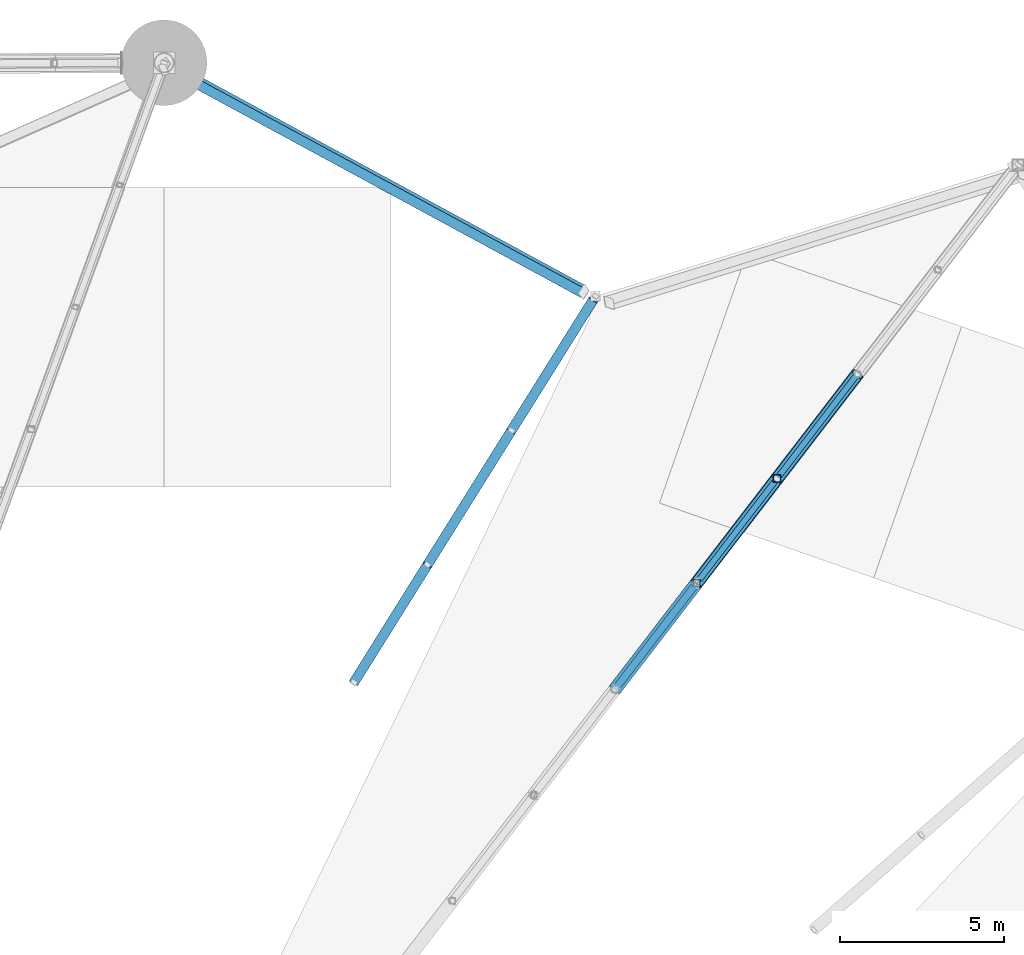
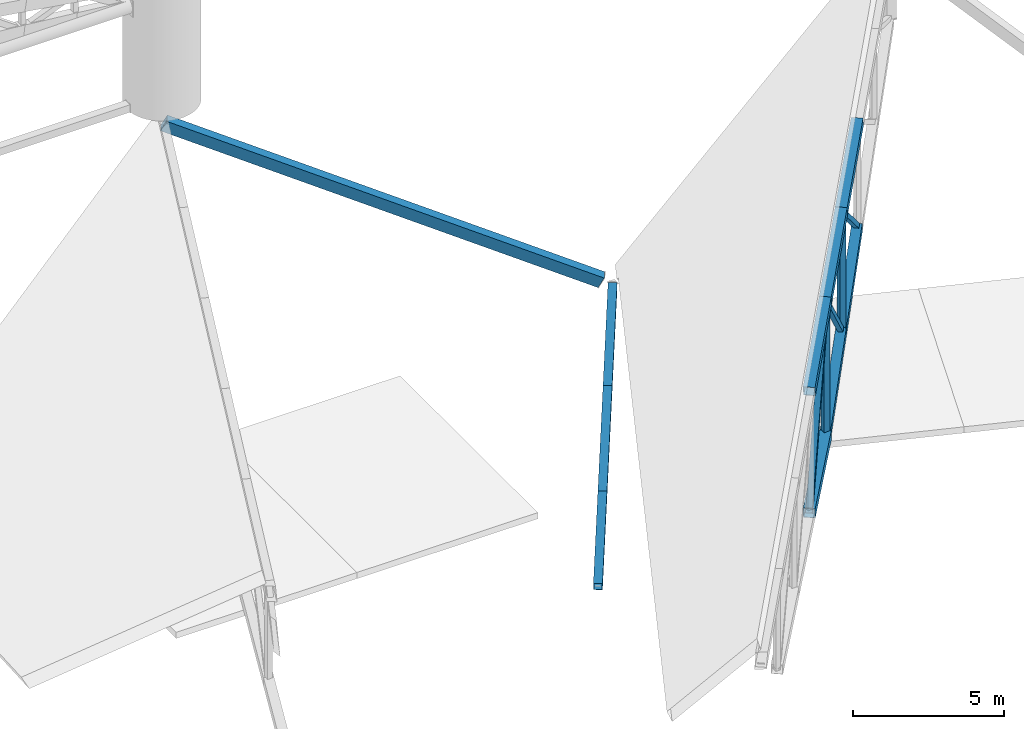
# One storey, part 108 of 188: 14 members, 1 beam.
"""IFC4 building model written with IfcOpenShell, lengths in metres."""

from ifc_helpers import new_model, si_unit, direction, frame, origin, origin_2d, place, context, subcontext, project, spatial, hollow_rectangle, extrude, material, material_profile, profile_set, type_object, element, save


model = new_model("IFC4")

# Units and contexts
model_context = context("Model", 3, precision=1e-05, world=origin(), true_north=direction((0.0, 1.0)))
body_context = subcontext(model_context, "Body", "Model", "MODEL_VIEW")
ifc_project = project(units=[si_unit("LENGTHUNIT", "METRE"), si_unit("AREAUNIT", "SQUARE_METRE"), si_unit("VOLUMEUNIT", "CUBIC_METRE"), si_unit("PLANEANGLEUNIT", "RADIAN"), si_unit("MASSUNIT", "GRAM", prefix="KILO")], contexts=[model_context])

# Site, building, storey
site_placement = place(None, origin())
site = spatial("IfcSite", under=ifc_project, at=site_placement, CompositionType="ELEMENT")
building_placement = place(site_placement, origin())
building = spatial("IfcBuilding", under=site, at=building_placement, Name="Meseta Stadium", CompositionType="ELEMENT")
storey_placement = place(building_placement, frame((0.0, 0.0, 30.0)))
storey = spatial("IfcBuildingStorey", under=building, at=storey_placement, Name="ROOF", CompositionType="ELEMENT", Elevation=30.0)

# Beam
ifc_material_1 = material(Name="Steel S355", Category="steel")
ifc_material_profile_1 = material_profile(ifc_material_1, hollow_rectangle(XDim=0.300048828125, YDim=0.5, WallThickness=0.01611328125, at=origin_2d()), Name="RHS 500x300x16")
ifc_profile_set_1 = profile_set([ifc_material_profile_1], Name="Steel S355")
beam_type = type_object("IfcBeamType", Name="RHS 500x300x16 rim ring beam", PredefinedType="BEAM", material=ifc_profile_set_1)
beam_placement = place(storey_placement, frame((51.08984375, 98.436767578125, 3.7470703125), z_axis=(-0.799880881111, 0.433595791443, 0.414952124558), x_axis=(-0.537361885468, -0.825325353414, -0.173436631247)))
element("IfcBeam", 1, at=beam_placement, inside=storey, type_object=beam_type, Name="RIM RING BEAM 16", PredefinedType="BEAM", context=body_context, shape_type="SweptSolid", body=[
    extrude(hollow_rectangle(XDim=0.300048828125, YDim=0.5, WallThickness=0.01611328125, at=origin_2d()), origin(), (0.0, 0.0, 1.0), 15.8974609375),
])

# Members
ifc_material_2 = material(Name="Steel S355", Category="steel")
ifc_material_profile_2 = material_profile(ifc_material_2, hollow_rectangle(XDim=0.179931640625, YDim=0.179931640625, WallThickness=0.00634765625, at=origin_2d()), Name="SHS 180x180x6.3")
ifc_profile_set_2 = profile_set([ifc_material_profile_2], Name="Steel S355")
member_type_1 = type_object("IfcMemberType", Name="SHS 180x180x6.3 diagonal", PredefinedType="BRACE", material=ifc_profile_set_2)
member_1_placement = place(storey_placement, frame((54.523193359375, 89.579345703125, 7.06787109375), z_axis=(0.43229767015, 0.56221588294, -0.705004982502), x_axis=(-0.792743963915, 0.609554761836, 0.0)))
element("IfcMember", 2, at=member_1_placement, inside=storey, type_object=member_type_1, Name="ROOF TRUSS RT-14 diagonal", PredefinedType="BRACE", context=body_context, shape_type="SweptSolid", body=[
    extrude(hollow_rectangle(XDim=0.179931640625, YDim=0.179931640625, WallThickness=0.00634765625, at=origin_2d()), origin(), (0.0, 0.0, 1.0), 5.652587890625),
])
member_2_placement = place(storey_placement, frame((56.966796875, 92.75732421875, 7.893310546875), z_axis=(0.465940839852, 0.605969818399, -0.644747790184), x_axis=(-0.792743963915, 0.609554761836, 0.0)))
element("IfcMember", 3, at=member_2_placement, inside=storey, type_object=member_type_1, Name="ROOF TRUSS RT-14 diagonal", PredefinedType="BRACE", context=body_context, shape_type="SweptSolid", body=[
    extrude(hollow_rectangle(XDim=0.179931640625, YDim=0.179931640625, WallThickness=0.00634765625, at=origin_2d()), origin(), (0.0, 0.0, 1.0), 5.244384765625),
])
ifc_material_3 = material(Name="Steel S355", Category="steel")
ifc_material_profile_3 = material_profile(ifc_material_3, hollow_rectangle(XDim=0.219970703125, YDim=0.219970703125, WallThickness=0.008056640625, at=origin_2d()), Name="SHS 220x220x8")
ifc_profile_set_3 = profile_set([ifc_material_profile_3], Name="Steel S355")
member_type_2 = type_object("IfcMemberType", Name="SHS 220x220x8 diagonal", PredefinedType="BRACE", material=ifc_profile_set_3)
member_3_placement = place(storey_placement, frame((52.048095703125, 86.3603515625, 1.3193359375), z_axis=(0.351675413037, 0.457372294426, 0.816783317751), x_axis=(-0.792749139849, 0.609548030321, 0.0)))
element("IfcMember", 4, at=member_3_placement, inside=storey, type_object=member_type_2, Name="ROOF TRUSS RT-14 diagonal", PredefinedType="BRACE", context=body_context, shape_type="SweptSolid", body=[
    extrude(hollow_rectangle(XDim=0.219970703125, YDim=0.219970703125, WallThickness=0.008056640625, at=origin_2d()), origin(), (0.0, 0.0, 1.0), 7.0380859375),
])
ifc_material_4 = material(Name="Steel S355", Category="steel")
ifc_material_profile_4 = material_profile(ifc_material_4, hollow_rectangle(XDim=0.219970703125, YDim=0.219970703125, WallThickness=0.008056640625, at=origin_2d()), Name="SHS 220x220x8")
ifc_profile_set_4 = profile_set([ifc_material_profile_4], Name="Steel S355")
member_type_3 = type_object("IfcMemberType", Name="SHS 220x220x8 post", PredefinedType="POST", material=ifc_profile_set_4)
member_4_placement = place(storey_placement, frame((54.523193359375, 89.579345703125, 1.65380859375), z_axis=(0.0, 0.0, 1.0), x_axis=(1.0, 0.0, 0.0)))
element("IfcMember", 5, at=member_4_placement, inside=storey, type_object=member_type_3, Name="ROOF TRUSS RT-14 post", PredefinedType="POST", context=body_context, shape_type="SweptSolid", body=[
    extrude(hollow_rectangle(XDim=0.219970703125, YDim=0.219970703125, WallThickness=0.008056640625, at=origin_2d()), origin(), (0.0, 0.0, 1.0), 5.4140625),
])
member_5_placement = place(storey_placement, frame((56.966796875, 92.75732421875, 3.082763671875), z_axis=(0.0, 0.0, 1.0), x_axis=(1.0, 0.0, 0.0)))
element("IfcMember", 6, at=member_5_placement, inside=storey, type_object=member_type_3, Name="ROOF TRUSS RT-14 post", PredefinedType="POST", context=body_context, shape_type="SweptSolid", body=[
    extrude(hollow_rectangle(XDim=0.219970703125, YDim=0.219970703125, WallThickness=0.008056640625, at=origin_2d()), origin(), (0.0, 0.0, 1.0), 4.810546875),
])
ifc_material_5 = material(Name="Steel S355", Category="steel")
ifc_material_profile_5 = material_profile(ifc_material_5, hollow_rectangle(XDim=0.300048828125, YDim=0.300048828125, WallThickness=0.010009765625, at=origin_2d()), Name="SHS 300x300x10")
ifc_profile_set_5 = profile_set([ifc_material_profile_5], Name="Steel S355")
member_type_4 = type_object("IfcMemberType", Name="SHS 300x300x10 top chord", PredefinedType="CHORD", material=ifc_profile_set_5)
member_6_placement = place(storey_placement, frame((44.09716796875, 86.551025390625, 1.01953125), z_axis=(0.521450818859, 0.833729205304, 0.181616782636), x_axis=(-0.847829126423, 0.53026952806, 0.0)))
element("IfcMember", 7, at=member_6_placement, inside=storey, type_object=member_type_4, Name="ROOF TRUSS RT-15 top chord", PredefinedType="CHORD", context=body_context, shape_type="SweptSolid", body=[
    extrude(hollow_rectangle(XDim=0.300048828125, YDim=0.300048828125, WallThickness=0.010009765625, at=origin_2d()), origin(), (0.0, 0.0, 1.0), 4.2880859375),
])
member_7_placement = place(storey_placement, frame((46.333251953125, 90.126220703125, 1.79833984375), z_axis=(0.521398970467, 0.833759867888, 0.181624877964), x_axis=(-0.847861596685, 0.530217608974, 0.0)))
element("IfcMember", 8, at=member_7_placement, inside=storey, type_object=member_type_4, Name="ROOF TRUSS RT-15 top chord", PredefinedType="CHORD", context=body_context, shape_type="SweptSolid", body=[
    extrude(hollow_rectangle(XDim=0.300048828125, YDim=0.300048828125, WallThickness=0.010009765625, at=origin_2d()), origin(), (0.0, 0.0, 1.0), 4.898193359375),
])
member_8_placement = place(storey_placement, frame((48.88720703125, 94.210205078125, 2.68798828125), z_axis=(0.521414943481, 0.833752467741, 0.181612993065), x_axis=(-0.847852178841, 0.530232668585, 0.0)))
element("IfcMember", 9, at=member_8_placement, inside=storey, type_object=member_type_4, Name="ROOF TRUSS RT-15 top chord", PredefinedType="CHORD", context=body_context, shape_type="SweptSolid", body=[
    extrude(hollow_rectangle(XDim=0.300048828125, YDim=0.300048828125, WallThickness=0.010009765625, at=origin_2d()), origin(), (0.0, 0.0, 1.0), 4.773681640625),
])
ifc_material_6 = material(Name="Steel S355", Category="steel")
ifc_material_profile_6 = material_profile(ifc_material_6, hollow_rectangle(XDim=0.35009765625, YDim=0.35009765625, WallThickness=0.010009765625, at=origin_2d()), Name="SHS 350x350x10")
ifc_profile_set_6 = profile_set([ifc_material_profile_6], Name="Steel S355")
member_type_5 = type_object("IfcMemberType", Name="SHS 350x350x10 bottom chord", PredefinedType="CHORD", material=ifc_profile_set_6)
for number, where, z_axis, x_axis, name in (
    (10, (54.523193359375, 89.579345703125, 1.65380859375), (0.574168873902, 0.746723571944, 0.335758858922), (-0.792743963915, 0.609554761836, 0.0), "ROOF TRUSS RT-14 bottom chord"),
    (11, (56.966796875, 92.75732421875, 3.082763671875), (0.574157814272, 0.746709188568, 0.335809755694), (-0.792743963915, 0.609554761836, 0.0), "ROOF TRUSS RT-14 bottom chord"),
):
    element("IfcMember", number, at=place(storey_placement, frame(where, z_axis=z_axis, x_axis=x_axis)), inside=storey, type_object=member_type_5, Name=name, PredefinedType="CHORD", context=body_context, shape_type="SweptSolid", body=[
        extrude(hollow_rectangle(XDim=0.35009765625, YDim=0.35009765625, WallThickness=0.010009765625, at=origin_2d()), origin(), (0.0, 0.0, 1.0), 4.255859375),
    ])
ifc_material_7 = material(Name="Steel S355", Category="steel")
ifc_material_profile_7 = material_profile(ifc_material_7, hollow_rectangle(XDim=0.39990234375, YDim=0.39990234375, WallThickness=0.010009765625, at=origin_2d()), Name="SHS 400x400x10")
ifc_profile_set_7 = profile_set([ifc_material_profile_7], Name="Steel S355")
member_type_6 = type_object("IfcMemberType", Name="SHS 400x400x10 top chord", PredefinedType="CHORD", material=ifc_profile_set_7)
member_9_placement = place(storey_placement, frame((56.966796875, 92.75732421875, 7.893310546875), z_axis=(0.597022833281, 0.776445820843, 0.201731563808), x_axis=(-0.792743963915, 0.609554761836, 0.0)))
element("IfcMember", 12, at=member_9_placement, inside=storey, type_object=member_type_6, Name="ROOF TRUSS RT-14 top chord", PredefinedType="CHORD", context=body_context, shape_type="SweptSolid", body=[
    extrude(hollow_rectangle(XDim=0.39990234375, YDim=0.39990234375, WallThickness=0.010009765625, at=origin_2d()), origin(), (0.0, 0.0, 1.0), 4.093017578125),
])
ifc_material_8 = material(Name="Steel S355", Category="steel")
ifc_material_profile_8 = material_profile(ifc_material_8, hollow_rectangle(XDim=0.39990234375, YDim=0.39990234375, WallThickness=0.01416015625, at=origin_2d()), Name="SHS 400x400x14.2")
ifc_profile_set_8 = profile_set([ifc_material_profile_8], Name="Steel S355")
member_type_7 = type_object("IfcMemberType", Name="SHS 400x400x14.2 bottom chord", PredefinedType="CHORD", material=ifc_profile_set_8)
member_10_placement = place(storey_placement, frame((52.048095703125, 86.3603515625, 1.3193359375), z_axis=(0.607490590337, 0.790073331386, 0.082093323019), x_axis=(-0.792749139849, 0.609548030321, 0.0)))
element("IfcMember", 13, at=member_10_placement, inside=storey, type_object=member_type_7, Name="ROOF TRUSS RT-14 bottom chord", PredefinedType="CHORD", context=body_context, shape_type="SweptSolid", body=[
    extrude(hollow_rectangle(XDim=0.39990234375, YDim=0.39990234375, WallThickness=0.01416015625, at=origin_2d()), origin(), (0.0, 0.0, 1.0), 4.07421875),
])
ifc_material_9 = material(Name="Steel S355", Category="steel")
ifc_material_profile_9 = material_profile(ifc_material_9, hollow_rectangle(XDim=0.39990234375, YDim=0.39990234375, WallThickness=0.01416015625, at=origin_2d()), Name="SHS 400x400x14.2")
ifc_profile_set_9 = profile_set([ifc_material_profile_9], Name="Steel S355")
member_type_8 = type_object("IfcMemberType", Name="SHS 400x400x14.2 top chord", PredefinedType="CHORD", material=ifc_profile_set_9)
member_11_placement = place(storey_placement, frame((52.048095703125, 86.3603515625, 6.231689453125), z_axis=(0.597020682494, 0.776456667852, 0.201696176518), x_axis=(-0.792749139849, 0.609548030321, 0.0)))
element("IfcMember", 14, at=member_11_placement, inside=storey, type_object=member_type_8, Name="ROOF TRUSS RT-14 top chord", PredefinedType="CHORD", context=body_context, shape_type="SweptSolid", body=[
    extrude(hollow_rectangle(XDim=0.39990234375, YDim=0.39990234375, WallThickness=0.01416015625, at=origin_2d()), origin(), (0.0, 0.0, 1.0), 4.145751953125),
])
member_12_placement = place(storey_placement, frame((54.523193359375, 89.579345703125, 7.06787109375), z_axis=(0.597030016327, 0.776455162607, 0.201674341613), x_axis=(-0.792743963915, 0.609554761836, 0.0)))
element("IfcMember", 15, at=member_12_placement, inside=storey, type_object=member_type_8, Name="ROOF TRUSS RT-14 top chord", PredefinedType="CHORD", context=body_context, shape_type="SweptSolid", body=[
    extrude(hollow_rectangle(XDim=0.39990234375, YDim=0.39990234375, WallThickness=0.01416015625, at=origin_2d()), origin(), (0.0, 0.0, 1.0), 4.093017578125),
])

save(model, "model.ifc")
